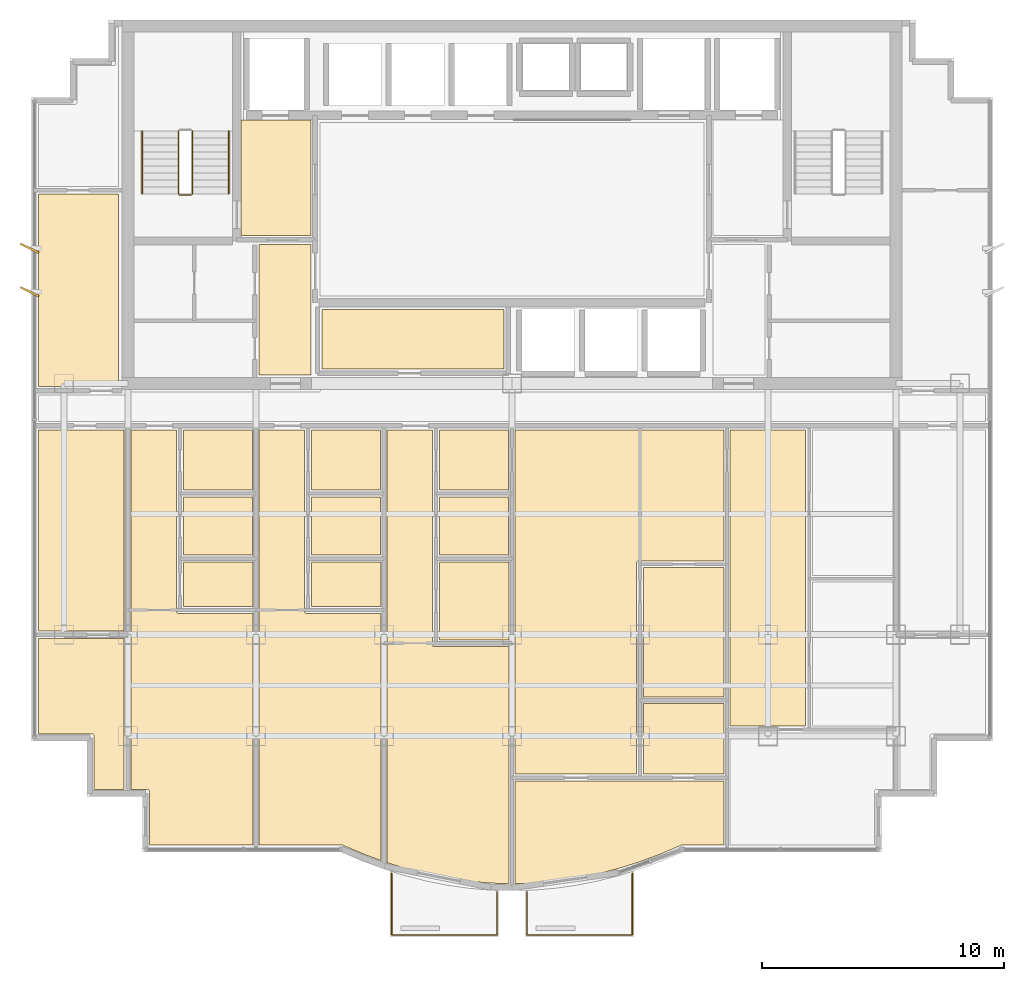
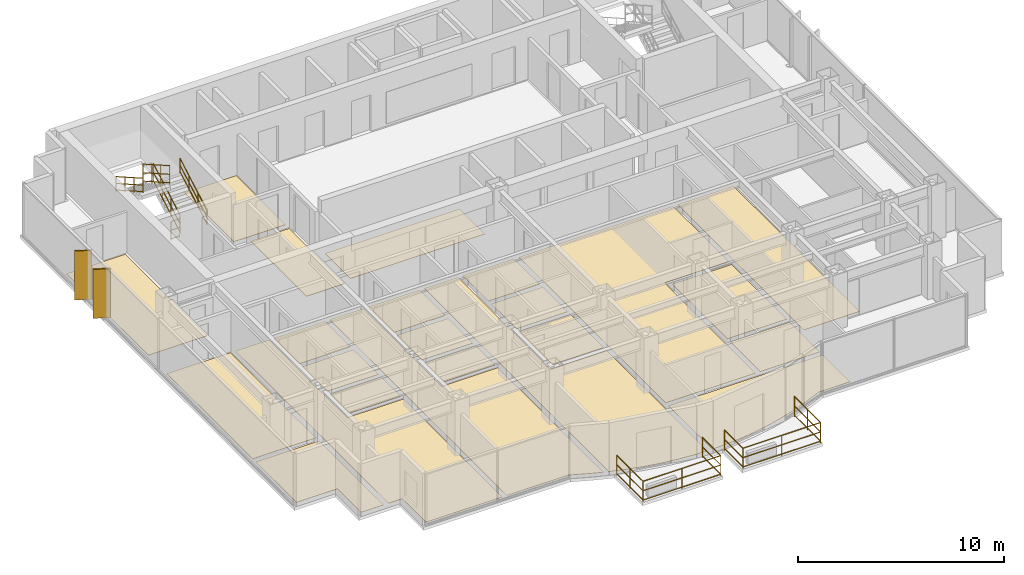
# One storey, part 11 of 12: 23 coverings, 7 railings, 2 shading devices.
"""IFC4 building model written with IfcOpenShell, lengths in metres."""

from ifc_helpers import new_model, si_unit, direction, frame, origin, origin_2d, place, context, subcontext, project, spatial, polyline, rectangle, circle, outline, extrude, source, transform, mapped, material, layer, layer_set, type_object, element, save


model = new_model("IFC4")

# Units and contexts
model_context = context("Model", 3, precision=1e-05, world=origin(), true_north=direction((0.0, 1.0)))
body_context = subcontext(model_context, "Body", "Model", "MODEL_VIEW")
ifc_project = project(units=[si_unit("LENGTHUNIT", "METRE"), si_unit("AREAUNIT", "SQUARE_METRE"), si_unit("VOLUMEUNIT", "CUBIC_METRE"), si_unit("PLANEANGLEUNIT", "RADIAN"), si_unit("MASSUNIT", "GRAM", prefix="KILO")], contexts=[model_context])

# Site, building, storey
site_placement = place(None, origin())
site = spatial("IfcSite", under=ifc_project, at=site_placement, CompositionType="ELEMENT")
building_placement = place(site_placement, origin())
building = spatial("IfcBuilding", under=site, at=building_placement, Name="Qianlan Lanfeng Residences", CompositionType="ELEMENT")
storey_placement = place(building_placement, frame((0.0, 0.0, 196.699951171875)))
storey = spatial("IfcBuildingStorey", under=building, at=storey_placement, Name="L53", CompositionType="ELEMENT", Elevation=196.699951171875)

# Coverings
ifc_material_1 = material(Name="Honed Taitung Granite Stone Flooring", Category="masonry")
ifc_layer_1 = layer(ifc_material_1, 0.030029296875)
ifc_layer_set_1 = layer_set([ifc_layer_1], Name="Honed Taitung Granite Stone Flooring")
covering_type_1 = type_object("IfcCoveringType", Name="FLR-STN-30", PredefinedType="FLOORING", material=ifc_layer_set_1)
covering_1_placement = place(storey_placement, origin())
element("IfcCovering", 1, at=covering_1_placement, inside=storey, type_object=covering_type_1, Name="L53 Firefighting Lift Lobby Floor Finish", PredefinedType="FLOORING", context=body_context, shape_type="SweptSolid", body=[
    extrude(outline(polyline([(15.2900390625, 31.320068359375), (18.179931640625, 31.320068359375), (18.179931640625, 36.110107421875), (15.2900390625, 36.110107421875), (15.2900390625, 31.320068359375)])), origin(), (0.0, 0.0, 1.0), 0.030029296875),
])
covering_2_placement = place(storey_placement, origin())
element("IfcCovering", 2, at=covering_2_placement, inside=storey, type_object=covering_type_1, Name="L53 Lift Lobby Floor Finish", PredefinedType="FLOORING", context=body_context, shape_type="SweptSolid", body=[
    extrude(outline(polyline([(16.030029296875, 25.56005859375), (18.169921875, 25.56005859375), (18.169921875, 30.949951171875), (16.030029296875, 30.949951171875), (16.030029296875, 25.56005859375)])), origin(), (0.0, 0.0, 1.0), 0.030029296875),
])
ifc_material_2 = material(Name="Slip-Resistant Porcelain Tile Flooring")
ifc_layer_2 = layer(ifc_material_2, 0.02001953125)
ifc_layer_set_2 = layer_set([ifc_layer_2], Name="Slip-Resistant Porcelain Tile Flooring")
covering_type_2 = type_object("IfcCoveringType", Name="FLR-TIL-20", PredefinedType="FLOORING", material=ifc_layer_set_2)
covering_3_placement = place(storey_placement, origin())
element("IfcCovering", 3, at=covering_3_placement, inside=storey, type_object=covering_type_2, Name="L53 Kitchen Floor Finish", PredefinedType="FLOORING", context=body_context, shape_type="SweptSolid", body=[
    extrude(outline(polyline([(12.889892578125, 18.090087890625), (15.760009765625, 18.090087890625), (15.760009765625, 20.510009765625), (12.889892578125, 20.510009765625), (12.889892578125, 18.090087890625)])), origin(), (0.0, 0.0, 1.0), 0.02001953125),
])
covering_4_placement = place(storey_placement, origin())
element("IfcCovering", 4, at=covering_4_placement, inside=storey, type_object=covering_type_2, Name="L53 Bathroom Floor Finish", PredefinedType="FLOORING", context=body_context, shape_type="SweptSolid", body=[
    extrude(outline(polyline([(12.889892578125, 20.7900390625), (15.760009765625, 20.7900390625), (15.760009765625, 23.280029296875), (12.889892578125, 23.280029296875), (12.889892578125, 20.7900390625)])), origin(), (0.0, 0.0, 1.0), 0.02001953125),
])
covering_5_placement = place(storey_placement, origin())
element("IfcCovering", 5, at=covering_5_placement, inside=storey, type_object=covering_type_2, Name="L53 Kitchen Floor Finish", PredefinedType="FLOORING", context=body_context, shape_type="SweptSolid", body=[
    extrude(outline(polyline([(18.18994140625, 18.090087890625), (21.06005859375, 18.090087890625), (21.06005859375, 20.510009765625), (18.18994140625, 20.510009765625), (18.18994140625, 18.090087890625)])), origin(), (0.0, 0.0, 1.0), 0.02001953125),
])
covering_6_placement = place(storey_placement, origin())
element("IfcCovering", 6, at=covering_6_placement, inside=storey, type_object=covering_type_2, Name="L53 Bathroom Floor Finish", PredefinedType="FLOORING", context=body_context, shape_type="SweptSolid", body=[
    extrude(outline(polyline([(18.18994140625, 20.7900390625), (21.06005859375, 20.7900390625), (21.06005859375, 23.280029296875), (18.18994140625, 23.280029296875), (18.18994140625, 20.7900390625)])), origin(), (0.0, 0.0, 1.0), 0.02001953125),
])
covering_7_placement = place(storey_placement, origin())
element("IfcCovering", 7, at=covering_7_placement, inside=storey, type_object=covering_type_2, Name="L53 Kitchen Floor Finish", PredefinedType="FLOORING", context=body_context, shape_type="SweptSolid", body=[
    extrude(outline(polyline([(23.489990234375, 18.090087890625), (26.360107421875, 18.090087890625), (26.360107421875, 20.510009765625), (23.489990234375, 20.510009765625), (23.489990234375, 18.090087890625)])), origin(), (0.0, 0.0, 1.0), 0.02001953125),
])
covering_8_placement = place(storey_placement, origin())
element("IfcCovering", 8, at=covering_8_placement, inside=storey, type_object=covering_type_2, Name="L53 Bathroom Floor Finish", PredefinedType="FLOORING", context=body_context, shape_type="SweptSolid", body=[
    extrude(outline(polyline([(23.489990234375, 20.7900390625), (26.360107421875, 20.7900390625), (26.360107421875, 23.280029296875), (23.489990234375, 23.280029296875), (23.489990234375, 20.7900390625)])), origin(), (0.0, 0.0, 1.0), 0.02001953125),
])
covering_9_placement = place(storey_placement, origin())
element("IfcCovering", 9, at=covering_9_placement, inside=storey, type_object=covering_type_2, Name="L53 En-Suite Bathroom Floor Finish", PredefinedType="FLOORING", context=body_context, shape_type="SweptSolid", body=[
    extrude(outline(polyline([(31.93994140625, 9.02294921875), (35.27001953125, 9.02294921875), (35.27001953125, 11.943115234375), (31.93994140625, 11.943115234375), (31.93994140625, 9.02294921875)])), origin(), (0.0, 0.0, 1.0), 0.02001953125),
])
ifc_material_3 = material(Name="Engineered Smoked Oak Timber Flooring", Category="wood")
ifc_layer_3 = layer(ifc_material_3, 0.02197265625)
ifc_layer_set_3 = layer_set([ifc_layer_3], Name="Engineered Smoked Oak Timber Flooring")
covering_type_3 = type_object("IfcCoveringType", Name="FLR-TIM-22", PredefinedType="FLOORING", material=ifc_layer_set_3)
covering_10_placement = place(storey_placement, origin())
element("IfcCovering", 10, at=covering_10_placement, inside=storey, type_object=covering_type_3, Name="L53 Gallery Salon Floor Finish", PredefinedType="FLOORING", context=body_context, shape_type="SweptSolid", body=[
    extrude(outline(polyline([(18.6298828125, 25.800048828125), (26.169921875, 25.800048828125), (26.169921875, 28.2548828125), (18.6298828125, 28.2548828125), (18.6298828125, 25.800048828125)])), origin(), (0.0, 0.0, 1.0), 0.02197265625),
])
covering_11_placement = place(storey_placement, origin())
element("IfcCovering", 11, at=covering_11_placement, inside=storey, type_object=covering_type_3, Name="L53 Studio Living Room Floor Finish", PredefinedType="FLOORING", context=body_context, shape_type="SweptSolid", body=[
    extrude(outline(polyline([(15.77001953125, 6.090087890625), (15.77001953125, 15.679931640625), (12.679931640625, 15.679931640625), (12.673095703125, 15.679931640625), (12.666015625, 15.680908203125), (12.659912109375, 15.68310546875), (12.653076171875, 15.68505859375), (12.64697265625, 15.68798828125), (12.64111328125, 15.69189453125), (12.635986328125, 15.696044921875), (12.631103515625, 15.700927734375), (12.6259765625, 15.7060546875), (12.6220703125, 15.7109375), (12.617919921875, 15.717041015625), (12.614990234375, 15.722900390625), (12.613037109375, 15.72998046875), (12.611083984375, 15.736083984375), (12.610107421875, 15.742919921875), (12.610107421875, 15.75), (12.610107421875, 23.280029296875), (10.72998046875, 23.280029296875), (10.72998046875, 8.389892578125), (11.419921875, 8.389892578125), (11.427001953125, 8.389892578125), (11.43408203125, 8.388916015625), (11.43994140625, 8.386962890625), (11.447021484375, 8.385009765625), (11.452880859375, 8.382080078125), (11.458984375, 8.3779296875), (11.464111328125, 8.3740234375), (11.468994140625, 8.368896484375), (11.47412109375, 8.364013671875), (11.47802734375, 8.35888671875), (11.48193359375, 8.35302734375), (11.485107421875, 8.346923828125), (11.487060546875, 8.340087890625), (11.489013671875, 8.333984375), (11.489990234375, 8.326904296875), (11.489990234375, 8.320068359375), (11.489990234375, 6.090087890625), (15.77001953125, 6.090087890625)])), origin(), (0.0, 0.0, 1.0), 0.02197265625),
])
covering_12_placement = place(storey_placement, origin())
element("IfcCovering", 12, at=covering_12_placement, inside=storey, type_object=covering_type_3, Name="L53 Private Study Floor Finish", PredefinedType="FLOORING", context=body_context, shape_type="SweptSolid", body=[
    extrude(outline(polyline([(12.889892578125, 17.81005859375), (12.889892578125, 15.9599609375), (15.77001953125, 15.9599609375), (15.77001953125, 17.81005859375), (12.889892578125, 17.81005859375)])), origin(), (0.0, 0.0, 1.0), 0.02197265625),
])
covering_13_placement = place(storey_placement, origin())
element("IfcCovering", 13, at=covering_13_placement, inside=storey, type_object=covering_type_3, Name="L53 Studio Living Room Floor Finish", PredefinedType="FLOORING", context=body_context, shape_type="SweptSolid", body=[
    extrude(outline(polyline([(21.070068359375, 5.452880859375), (21.070068359375, 15.679931640625), (17.97998046875, 15.679931640625), (17.972900390625, 15.679931640625), (17.966064453125, 15.680908203125), (17.9599609375, 15.68310546875), (17.952880859375, 15.68505859375), (17.947021484375, 15.68798828125), (17.94091796875, 15.69189453125), (17.93603515625, 15.696044921875), (17.930908203125, 15.700927734375), (17.926025390625, 15.7060546875), (17.922119140625, 15.7109375), (17.91796875, 15.717041015625), (17.9150390625, 15.722900390625), (17.9130859375, 15.72998046875), (17.910888671875, 15.736083984375), (17.909912109375, 15.742919921875), (17.909912109375, 15.75), (17.909912109375, 23.280029296875), (16.030029296875, 23.280029296875), (16.030029296875, 6.090087890625), (19.465087890625, 6.090087890625), (19.471923828125, 6.090087890625), (19.47900390625, 6.089111328125), (19.485107421875, 6.0869140625), (19.491943359375, 6.083984375), (20.412109375, 5.695068359375), (21.070068359375, 5.452880859375)])), origin(), (0.0, 0.0, 1.0), 0.02197265625),
])
covering_14_placement = place(storey_placement, origin())
element("IfcCovering", 14, at=covering_14_placement, inside=storey, type_object=covering_type_3, Name="L53 Private Study Floor Finish", PredefinedType="FLOORING", context=body_context, shape_type="SweptSolid", body=[
    extrude(outline(polyline([(18.18994140625, 17.81005859375), (18.18994140625, 15.9599609375), (21.070068359375, 15.9599609375), (21.070068359375, 17.81005859375), (18.18994140625, 17.81005859375)])), origin(), (0.0, 0.0, 1.0), 0.02197265625),
])
covering_15_placement = place(storey_placement, origin())
element("IfcCovering", 15, at=covering_15_placement, inside=storey, type_object=covering_type_3, Name="L53 Living and Dining Room Floor Finish", PredefinedType="FLOORING", context=body_context, shape_type="SweptSolid", body=[
    extrude(outline(polyline([(26.3701171875, 4.493896484375), (26.3701171875, 14.30810546875), (23.280029296875, 14.30810546875), (23.27294921875, 14.30810546875), (23.26611328125, 14.30908203125), (23.260009765625, 14.31103515625), (23.2529296875, 14.31298828125), (23.2470703125, 14.31591796875), (23.240966796875, 14.320068359375), (23.236083984375, 14.323974609375), (23.23095703125, 14.3291015625), (23.22607421875, 14.333984375), (23.221923828125, 14.339111328125), (23.218017578125, 14.344970703125), (23.215087890625, 14.35107421875), (23.212890625, 14.35791015625), (23.2109375, 14.364013671875), (23.2099609375, 14.37109375), (23.2099609375, 14.3779296875), (23.2099609375, 23.280029296875), (21.330078125, 23.280029296875), (21.330078125, 14.3779296875), (21.3310546875, 5.360107421875), (22.154052734375, 5.10400390625), (23.02392578125, 4.883056640625), (23.89306640625, 4.7109375), (24.762939453125, 4.587890625), (25.631103515625, 4.514892578125), (26.3701171875, 4.493896484375)])), origin(), (0.0, 0.0, 1.0), 0.02197265625),
])
covering_16_placement = place(storey_placement, origin())
element("IfcCovering", 16, at=covering_16_placement, inside=storey, type_object=covering_type_3, Name="L53 Private Study Floor Finish", PredefinedType="FLOORING", context=body_context, shape_type="SweptSolid", body=[
    extrude(outline(polyline([(23.489990234375, 17.81005859375), (23.489990234375, 14.587890625), (26.3701171875, 14.587890625), (26.3701171875, 17.81005859375), (23.489990234375, 17.81005859375)])), origin(), (0.0, 0.0, 1.0), 0.02197265625),
])
covering_17_placement = place(storey_placement, origin())
element("IfcCovering", 17, at=covering_17_placement, inside=storey, type_object=covering_type_3, Name="L53 Private Study Floor Finish", PredefinedType="FLOORING", context=body_context, shape_type="SweptSolid", body=[
    extrude(outline(polyline([(31.93994140625, 12.222900390625), (35.27001953125, 12.222900390625), (35.27001953125, 17.575927734375), (31.93994140625, 17.575927734375), (31.93994140625, 12.222900390625)])), origin(), (0.0, 0.0, 1.0), 0.02197265625),
])
covering_18_placement = place(storey_placement, origin())
element("IfcCovering", 18, at=covering_18_placement, inside=storey, type_object=covering_type_3, Name="L53 Villa Family Sitting Room Floor Finish", PredefinedType="FLOORING", context=body_context, shape_type="SweptSolid", body=[
    extrude(outline(polyline([(26.6298828125, 9.02294921875), (31.659912109375, 9.02294921875), (31.659912109375, 17.785888671875), (31.659912109375, 17.79296875), (31.660888671875, 17.800048828125), (31.6630859375, 17.805908203125), (31.6650390625, 17.81298828125), (31.66796875, 17.819091796875), (31.672119140625, 17.824951171875), (31.676025390625, 17.830078125), (31.680908203125, 17.8349609375), (31.68603515625, 17.840087890625), (31.69091796875, 17.843994140625), (31.697021484375, 17.847900390625), (31.702880859375, 17.85107421875), (31.7099609375, 17.85302734375), (31.716064453125, 17.85498046875), (31.722900390625, 17.85595703125), (31.72998046875, 17.85595703125), (35.27001953125, 17.85595703125), (35.27001953125, 23.280029296875), (26.6298828125, 23.280029296875), (26.6298828125, 9.02294921875)])), origin(), (0.0, 0.0, 1.0), 0.02197265625),
])
covering_19_placement = place(storey_placement, origin())
element("IfcCovering", 19, at=covering_19_placement, inside=storey, type_object=covering_type_3, Name="L53 Master Bedroom Floor Finish", PredefinedType="FLOORING", context=body_context, shape_type="SweptSolid", body=[
    extrude(outline(polyline([(26.6298828125, 8.742919921875), (26.6298828125, 4.493896484375), (27.368896484375, 4.514892578125), (28.237060546875, 4.587890625), (29.10693359375, 4.7109375), (29.97607421875, 4.883056640625), (30.845947265625, 5.10400390625), (31.717041015625, 5.375), (32.587890625, 5.695068359375), (33.508056640625, 6.083984375), (33.514892578125, 6.0869140625), (33.52099609375, 6.089111328125), (33.528076171875, 6.090087890625), (33.534912109375, 6.090087890625), (35.27001953125, 6.090087890625), (35.27001953125, 8.742919921875), (26.6298828125, 8.742919921875)])), origin(), (0.0, 0.0, 1.0), 0.02197265625),
])
covering_20_placement = place(storey_placement, origin())
element("IfcCovering", 20, at=covering_20_placement, inside=storey, type_object=covering_type_3, Name="L53 Home Office Floor Finish", PredefinedType="FLOORING", context=body_context, shape_type="SweptSolid", body=[
    extrude(outline(polyline([(35.530029296875, 11.01708984375), (38.659912109375, 11.01708984375), (38.659912109375, 23.280029296875), (35.530029296875, 23.280029296875), (35.530029296875, 11.01708984375)])), origin(), (0.0, 0.0, 1.0), 0.02197265625),
])
covering_21_placement = place(storey_placement, origin())
element("IfcCovering", 21, at=covering_21_placement, inside=storey, type_object=covering_type_3, Name="L53 Sunroom Floor Finish", PredefinedType="FLOORING", context=body_context, shape_type="SweptSolid", body=[
    extrude(outline(polyline([(10.43994140625, 14.64990234375), (6.889892578125, 14.64990234375), (6.889892578125, 10.68994140625), (9.1201171875, 10.68994140625), (9.126953125, 10.68994140625), (9.134033203125, 10.68896484375), (9.139892578125, 10.68701171875), (9.14697265625, 10.68505859375), (9.153076171875, 10.681884765625), (9.158935546875, 10.677978515625), (9.1640625, 10.674072265625), (9.1689453125, 10.6689453125), (9.174072265625, 10.6640625), (9.177978515625, 10.658935546875), (9.181884765625, 10.653076171875), (9.18505859375, 10.64697265625), (9.18701171875, 10.639892578125), (9.18896484375, 10.634033203125), (9.18994140625, 10.626953125), (9.18994140625, 10.6201171875), (9.18994140625, 8.389892578125), (10.43994140625, 8.389892578125), (10.43994140625, 14.64990234375)])), origin(), (0.0, 0.0, 1.0), 0.02197265625),
])
covering_22_placement = place(storey_placement, origin())
element("IfcCovering", 22, at=covering_22_placement, inside=storey, type_object=covering_type_3, Name="L53 Family Sitting Room Floor Finish", PredefinedType="FLOORING", context=body_context, shape_type="SweptSolid", body=[
    extrude(outline(polyline([(10.43994140625, 23.280029296875), (6.889892578125, 23.280029296875), (6.889892578125, 14.949951171875), (10.43994140625, 14.949951171875), (10.43994140625, 23.280029296875)])), origin(), (0.0, 0.0, 1.0), 0.02197265625),
])
covering_23_placement = place(storey_placement, origin())
element("IfcCovering", 23, at=covering_23_placement, inside=storey, type_object=covering_type_3, Name="L53 Sky Lounge Floor Finish", PredefinedType="FLOORING", context=body_context, shape_type="SweptSolid", body=[
    extrude(outline(polyline([(10.199951171875, 33.050048828125), (6.889892578125, 33.050048828125), (6.889892578125, 25.080078125), (10.199951171875, 25.080078125), (10.199951171875, 33.050048828125)])), origin(), (0.0, 0.0, 1.0), 0.02197265625),
])

# Railings
ifc_material_4 = material(Name="Anodised Bronze Aluminium and Laminated Glass Guard Balustrade", Category="aluminium")
railing_type_1 = type_object("IfcRailingType", Name="GR-EXT-1220", PredefinedType="BALUSTRADE", material=ifc_material_4)
railing_1_placement = place(storey_placement, frame((25.8798828125, 4.14794921875, 0.0)))
element("IfcRailing", 24, at=railing_1_placement, inside=storey, type_object=railing_type_1, Name="L53 Terrace Safety Guard GR-L53-SB-W", PredefinedType="BALUSTRADE", context=body_context, shape_type="SweptSolid", body=[
    extrude(circle(Radius=0.02490234375, at=origin_2d()), frame((0.0, 0.0, 0.0849609375), z_axis=(0.0, -1.0, 0.0), x_axis=(1.0, 0.0, 0.0)), (0.0, 0.0, 1.0), 1.77783203125),
    extrude(circle(Radius=0.02490234375, at=origin_2d()), frame((0.0, 0.0, 0.63427734375), z_axis=(0.0, -1.0, 0.0), x_axis=(1.0, 0.0, 0.0)), (0.0, 0.0, 1.0), 1.77783203125),
    extrude(circle(Radius=0.02490234375, at=origin_2d()), frame((0.0, 0.0, 1.19482421875), z_axis=(0.0, -1.0, 0.0), x_axis=(1.0, 0.0, 0.0)), (0.0, 0.0, 1.0), 1.77783203125),
    extrude(circle(Radius=0.02490234375, at=origin_2d()), frame((0.0, -1.77783203125, 0.0849609375), z_axis=(-1.0, 0.0, 0.0), x_axis=(0.0, -1.0, 0.0)), (0.0, 0.0, 1.0), 4.35986328125),
    extrude(circle(Radius=0.02490234375, at=origin_2d()), frame((0.0, -1.77783203125, 0.63427734375), z_axis=(-1.0, 0.0, 0.0), x_axis=(0.0, -1.0, 0.0)), (0.0, 0.0, 1.0), 4.35986328125),
    extrude(circle(Radius=0.02490234375, at=origin_2d()), frame((0.0, -1.77783203125, 1.19482421875), z_axis=(-1.0, 0.0, 0.0), x_axis=(0.0, -1.0, 0.0)), (0.0, 0.0, 1.0), 4.35986328125),
    extrude(circle(Radius=0.02490234375, at=origin_2d()), frame((-4.35986328125, -1.77783203125, 0.0849609375), z_axis=(0.0, 1.0, 0.0), x_axis=(-1.0, 0.0, 0.0)), (0.0, 0.0, 1.0), 2.553955078125),
    extrude(circle(Radius=0.02490234375, at=origin_2d()), frame((-4.35986328125, -1.77783203125, 0.63427734375), z_axis=(0.0, 1.0, 0.0), x_axis=(-1.0, 0.0, 0.0)), (0.0, 0.0, 1.0), 2.553955078125),
    extrude(circle(Radius=0.02490234375, at=origin_2d()), frame((-4.35986328125, -1.77783203125, 1.19482421875), z_axis=(0.0, 1.0, 0.0), x_axis=(-1.0, 0.0, 0.0)), (0.0, 0.0, 1.0), 2.553955078125),
    extrude(circle(Radius=0.02099609375, at=origin_2d()), origin(), (0.0, 0.0, 1.0), 1.169921875),
    extrude(circle(Radius=0.02099609375, at=origin_2d()), frame((0.0, -1.77783203125, 0.0)), (0.0, 0.0, 1.0), 1.169921875),
    extrude(circle(Radius=0.02099609375, at=origin_2d()), frame((-2.179931640625, -1.77783203125, 0.0)), (0.0, 0.0, 1.0), 1.169921875),
    extrude(circle(Radius=0.02099609375, at=origin_2d()), frame((-4.35986328125, -1.77783203125, 0.0)), (0.0, 0.0, 1.0), 1.169921875),
    extrude(circle(Radius=0.02099609375, at=origin_2d()), frame((-4.35986328125, -0.5009765625, 0.0)), (0.0, 0.0, 1.0), 1.169921875),
    extrude(circle(Radius=0.02099609375, at=origin_2d()), frame((-4.35986328125, 0.776123046875, 0.0)), (0.0, 0.0, 1.0), 1.169921875),
])
railing_2_placement = place(storey_placement, frame((31.47998046875, 4.924072265625, 0.0)))
element("IfcRailing", 25, at=railing_2_placement, inside=storey, type_object=railing_type_1, Name="L53 Terrace Safety Guard GR-L53-SB-E", PredefinedType="BALUSTRADE", context=body_context, shape_type="SweptSolid", body=[
    extrude(circle(Radius=0.02490234375, at=origin_2d()), frame((0.0, 0.0, 0.0849609375), z_axis=(0.0, -1.0, 0.0), x_axis=(1.0, 0.0, 0.0)), (0.0, 0.0, 1.0), 2.553955078125),
    extrude(circle(Radius=0.02490234375, at=origin_2d()), frame((0.0, 0.0, 0.63427734375), z_axis=(0.0, -1.0, 0.0), x_axis=(1.0, 0.0, 0.0)), (0.0, 0.0, 1.0), 2.553955078125),
    extrude(circle(Radius=0.02490234375, at=origin_2d()), frame((0.0, 0.0, 1.19482421875), z_axis=(0.0, -1.0, 0.0), x_axis=(1.0, 0.0, 0.0)), (0.0, 0.0, 1.0), 2.553955078125),
    extrude(circle(Radius=0.02490234375, at=origin_2d()), frame((0.0, -2.553955078125, 0.0849609375), z_axis=(-1.0, 0.0, 0.0), x_axis=(0.0, -1.0, 0.0)), (0.0, 0.0, 1.0), 4.35986328125),
    extrude(circle(Radius=0.02490234375, at=origin_2d()), frame((0.0, -2.553955078125, 0.63427734375), z_axis=(-1.0, 0.0, 0.0), x_axis=(0.0, -1.0, 0.0)), (0.0, 0.0, 1.0), 4.35986328125),
    extrude(circle(Radius=0.02490234375, at=origin_2d()), frame((0.0, -2.553955078125, 1.19482421875), z_axis=(-1.0, 0.0, 0.0), x_axis=(0.0, -1.0, 0.0)), (0.0, 0.0, 1.0), 4.35986328125),
    extrude(circle(Radius=0.02490234375, at=origin_2d()), frame((-4.35986328125, -2.553955078125, 0.0849609375), z_axis=(0.0, 1.0, 0.0), x_axis=(-1.0, 0.0, 0.0)), (0.0, 0.0, 1.0), 1.77783203125),
    extrude(circle(Radius=0.02490234375, at=origin_2d()), frame((-4.35986328125, -2.553955078125, 0.63427734375), z_axis=(0.0, 1.0, 0.0), x_axis=(-1.0, 0.0, 0.0)), (0.0, 0.0, 1.0), 1.77783203125),
    extrude(circle(Radius=0.02490234375, at=origin_2d()), frame((-4.35986328125, -2.553955078125, 1.19482421875), z_axis=(0.0, 1.0, 0.0), x_axis=(-1.0, 0.0, 0.0)), (0.0, 0.0, 1.0), 1.77783203125),
    extrude(circle(Radius=0.02099609375, at=origin_2d()), origin(), (0.0, 0.0, 1.0), 1.169921875),
    extrude(circle(Radius=0.02099609375, at=origin_2d()), frame((0.0, -1.27685546875, 0.0)), (0.0, 0.0, 1.0), 1.169921875),
    extrude(circle(Radius=0.02099609375, at=origin_2d()), frame((0.0, -2.553955078125, 0.0)), (0.0, 0.0, 1.0), 1.169921875),
    extrude(circle(Radius=0.02099609375, at=origin_2d()), frame((-2.179931640625, -2.553955078125, 0.0)), (0.0, 0.0, 1.0), 1.169921875),
    extrude(circle(Radius=0.02099609375, at=origin_2d()), frame((-4.35986328125, -2.553955078125, 0.0)), (0.0, 0.0, 1.0), 1.169921875),
    extrude(circle(Radius=0.02099609375, at=origin_2d()), frame((-4.35986328125, -0.776123046875, 0.0)), (0.0, 0.0, 1.0), 1.169921875),
])
ifc_material_5 = material(Name="Painted Galvanised Steel Guardrail", Category="steel")
railing_type_2 = type_object("IfcRailingType", Name="GR-ST-1120", PredefinedType="GUARDRAIL", material=ifc_material_5)
railing_3_placement = place(storey_placement, frame((13.27001953125, 33.050048828125, 0.1650390625)))
element("IfcRailing", 26, at=railing_3_placement, inside=storey, type_object=railing_type_2, Name="L53 ST-1 stair guard 1", PredefinedType="GUARDRAIL", context=body_context, shape_type="SweptSolid", body=[
    extrude(circle(Radius=0.02392578125, at=origin_2d()), frame((0.0, 0.0, 0.083984375), z_axis=(0.0, 0.869137319866, 0.494570843475), x_axis=(-1.0, 0.0, 0.0)), (0.0, 0.0, 1.0), 3.0029296875),
    extrude(circle(Radius=0.02392578125, at=origin_2d()), frame((0.0, 0.0, 0.58251953125), z_axis=(0.0, 0.869137319866, 0.494570843475), x_axis=(-1.0, 0.0, 0.0)), (0.0, 0.0, 1.0), 3.0029296875),
    extrude(circle(Radius=0.02392578125, at=origin_2d()), frame((0.0, 0.0, 1.09619140625), z_axis=(0.0, 0.869137319866, 0.494570843475), x_axis=(-1.0, 0.0, 0.0)), (0.0, 0.0, 1.0), 3.0029296875),
    extrude(circle(Radius=0.02099609375, at=origin_2d()), origin(), (0.0, 0.0, 1.0), 1.072021484375),
    extrude(circle(Radius=0.02099609375, at=origin_2d()), frame((0.0, 0.869873046875, 0.4951171875)), (0.0, 0.0, 1.0), 1.072021484375),
    extrude(circle(Radius=0.02099609375, at=origin_2d()), frame((0.0, 1.739990234375, 0.989990234375)), (0.0, 0.0, 1.0), 1.072021484375),
    extrude(circle(Radius=0.02099609375, at=origin_2d()), frame((0.0, 2.60986328125, 1.485107421875)), (0.0, 0.0, 1.0), 1.072021484375),
])
railing_4_placement = place(storey_placement, frame((12.68994140625, 35.659912109375, 1.81494140625)))
element("IfcRailing", 27, at=railing_4_placement, inside=storey, type_object=railing_type_2, Name="L53 ST-1 stair guard 3", PredefinedType="GUARDRAIL", context=body_context, shape_type="SweptSolid", body=[
    extrude(circle(Radius=0.02392578125, at=origin_2d()), frame((0.0, 0.0, 0.083984375), z_axis=(0.0, -0.869137319866, 0.494570843475), x_axis=(1.0, 0.0, 0.0)), (0.0, 0.0, 1.0), 3.0029296875),
    extrude(circle(Radius=0.02392578125, at=origin_2d()), frame((0.0, 0.0, 0.58251953125), z_axis=(0.0, -0.869137319866, 0.494570843475), x_axis=(1.0, 0.0, 0.0)), (0.0, 0.0, 1.0), 3.0029296875),
    extrude(circle(Radius=0.02392578125, at=origin_2d()), frame((0.0, 0.0, 1.09619140625), z_axis=(0.0, -0.869137319866, 0.494570843475), x_axis=(1.0, 0.0, 0.0)), (0.0, 0.0, 1.0), 3.0029296875),
    extrude(circle(Radius=0.02099609375, at=origin_2d()), origin(), (0.0, 0.0, 1.0), 1.072021484375),
    extrude(circle(Radius=0.02099609375, at=origin_2d()), frame((0.0, -0.869873046875, 0.4951171875)), (0.0, 0.0, 1.0), 1.072021484375),
    extrude(circle(Radius=0.02099609375, at=origin_2d()), frame((0.0, -1.739990234375, 0.989990234375)), (0.0, 0.0, 1.0), 1.072021484375),
    extrude(circle(Radius=0.02099609375, at=origin_2d()), frame((0.0, -2.60986328125, 1.485107421875)), (0.0, 0.0, 1.0), 1.072021484375),
])
railing_5_placement = place(storey_placement, frame((13.219970703125, 33.0, 0.0)))
element("IfcRailing", 28, at=railing_5_placement, inside=storey, type_object=railing_type_2, Name="L53 ST-1 stair guard 4", PredefinedType="GUARDRAIL", context=body_context, shape_type="SweptSolid", body=[
    extrude(circle(Radius=0.02392578125, at=origin_2d()), frame((0.0, 0.0, 0.083984375), z_axis=(-1.0, 0.0, 0.0), x_axis=(0.0, -1.0, 0.0)), (0.0, 0.0, 1.0), 0.47998046875),
    extrude(circle(Radius=0.02392578125, at=origin_2d()), frame((0.0, 0.0, 0.58251953125), z_axis=(-1.0, 0.0, 0.0), x_axis=(0.0, -1.0, 0.0)), (0.0, 0.0, 1.0), 0.47998046875),
    extrude(circle(Radius=0.02392578125, at=origin_2d()), frame((0.0, 0.0, 1.09619140625), z_axis=(-1.0, 0.0, 0.0), x_axis=(0.0, -1.0, 0.0)), (0.0, 0.0, 1.0), 0.47998046875),
    extrude(circle(Radius=0.02099609375, at=origin_2d()), origin(), (0.0, 0.0, 1.0), 1.072021484375),
    extrude(circle(Radius=0.02099609375, at=origin_2d()), frame((-0.47998046875, 0.0, 0.0)), (0.0, 0.0, 1.0), 1.072021484375),
])
ifc_material_6 = material(Name="Brushed Stainless Steel Handrail", Category="steel")
railing_type_3 = type_object("IfcRailingType", Name="HR-ST-920", PredefinedType="HANDRAIL", material=ifc_material_6)
railing_6_placement = place(storey_placement, frame((14.77001953125, 33.050048828125, 0.1650390625)))
element("IfcRailing", 29, at=railing_6_placement, inside=storey, type_object=railing_type_3, Name="L53 ST-1 stair handrail 1", PredefinedType="HANDRAIL", context=body_context, shape_type="SweptSolid", body=[
    extrude(circle(Radius=0.02392578125, at=origin_2d()), frame((0.0, 0.0, 0.083984375), z_axis=(0.0, 0.869137319866, 0.494570843475), x_axis=(-1.0, 0.0, 0.0)), (0.0, 0.0, 1.0), 3.0029296875),
    extrude(circle(Radius=0.02392578125, at=origin_2d()), frame((0.0, 0.0, 0.468017578125), z_axis=(0.0, 0.869137319866, 0.494570843475), x_axis=(-1.0, 0.0, 0.0)), (0.0, 0.0, 1.0), 3.0029296875),
    extrude(circle(Radius=0.02392578125, at=origin_2d()), frame((0.0, 0.0, 0.8759765625), z_axis=(0.0, 0.869137319866, 0.494570843475), x_axis=(-1.0, 0.0, 0.0)), (0.0, 0.0, 1.0), 3.0029296875),
    extrude(circle(Radius=0.02099609375, at=origin_2d()), origin(), (0.0, 0.0, 1.0), 0.851806640625),
    extrude(circle(Radius=0.02099609375, at=origin_2d()), frame((0.0, 0.869873046875, 0.4951171875)), (0.0, 0.0, 1.0), 0.851806640625),
    extrude(circle(Radius=0.02099609375, at=origin_2d()), frame((0.0, 1.739990234375, 0.989990234375)), (0.0, 0.0, 1.0), 0.851806640625),
    extrude(circle(Radius=0.02099609375, at=origin_2d()), frame((0.0, 2.60986328125, 1.485107421875)), (0.0, 0.0, 1.0), 0.851806640625),
])
railing_7_placement = place(storey_placement, frame((11.18994140625, 35.659912109375, 1.81494140625)))
element("IfcRailing", 30, at=railing_7_placement, inside=storey, type_object=railing_type_3, Name="L53 ST-1 stair handrail 2", PredefinedType="HANDRAIL", context=body_context, shape_type="SweptSolid", body=[
    extrude(circle(Radius=0.02392578125, at=origin_2d()), frame((0.0, 0.0, 0.083984375), z_axis=(0.0, -0.869137319866, 0.494570843475), x_axis=(1.0, 0.0, 0.0)), (0.0, 0.0, 1.0), 3.0029296875),
    extrude(circle(Radius=0.02392578125, at=origin_2d()), frame((0.0, 0.0, 0.468017578125), z_axis=(0.0, -0.869137319866, 0.494570843475), x_axis=(1.0, 0.0, 0.0)), (0.0, 0.0, 1.0), 3.0029296875),
    extrude(circle(Radius=0.02392578125, at=origin_2d()), frame((0.0, 0.0, 0.8759765625), z_axis=(0.0, -0.869137319866, 0.494570843475), x_axis=(1.0, 0.0, 0.0)), (0.0, 0.0, 1.0), 3.0029296875),
    extrude(circle(Radius=0.02099609375, at=origin_2d()), origin(), (0.0, 0.0, 1.0), 0.851806640625),
    extrude(circle(Radius=0.02099609375, at=origin_2d()), frame((0.0, -0.869873046875, 0.4951171875)), (0.0, 0.0, 1.0), 0.851806640625),
    extrude(circle(Radius=0.02099609375, at=origin_2d()), frame((0.0, -1.739990234375, 0.989990234375)), (0.0, 0.0, 1.0), 0.851806640625),
    extrude(circle(Radius=0.02099609375, at=origin_2d()), frame((0.0, -2.60986328125, 1.485107421875)), (0.0, 0.0, 1.0), 0.851806640625),
])

# Shading devices
ifc_material_7 = material(Name="Anodised Bronze Aluminium Solar Fin", Category="aluminium")
shading_device_type = type_object("IfcShadingDeviceType", Name="FIN-BRZ-850", PredefinedType="SHUTTER", material=ifc_material_7)
shared_shape = source(origin(), body_context, "Body", "SweptSolid", [
    extrude(rectangle(XDim=0.85009765625, YDim=0.080078125, at=origin_2d()), origin(), (0.0, 0.0, 1.0), 2.89990234375),
])
for number, where, z_axis, x_axis, name in (
    (31, (6.530029296875, 29.0, 0.0), (0.0, 0.0, 1.0), (0.898794046299, -0.438371146789, 0.0), "L53 Raked Bronze Solar Fin W1"),
    (32, (6.530029296875, 30.800048828125, 0.0), (0.0, 0.0, 1.0), (0.898794046299, -0.438371146789, 0.0), "L53 Raked Bronze Solar Fin W2"),
):
    element("IfcShadingDevice", number, at=place(storey_placement, frame(where, z_axis=z_axis, x_axis=x_axis)), inside=storey, type_object=shading_device_type, Name=name, PredefinedType="SHUTTER", context=body_context, shape_type="MappedRepresentation", body=[
        mapped(shared_shape, transform((0.0, 0.0, 0.0), scale=1.0)),
    ])

save(model, "model.ifc")
